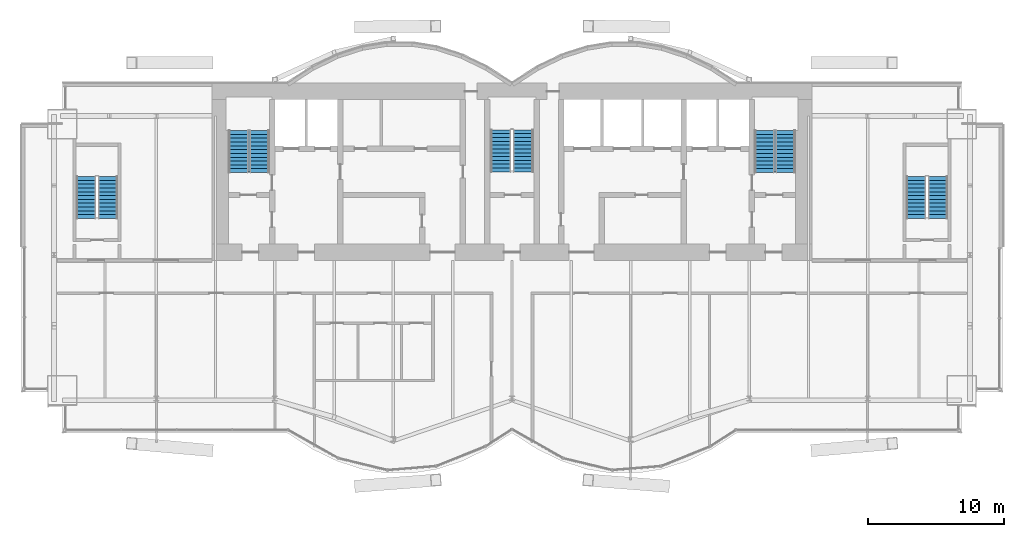
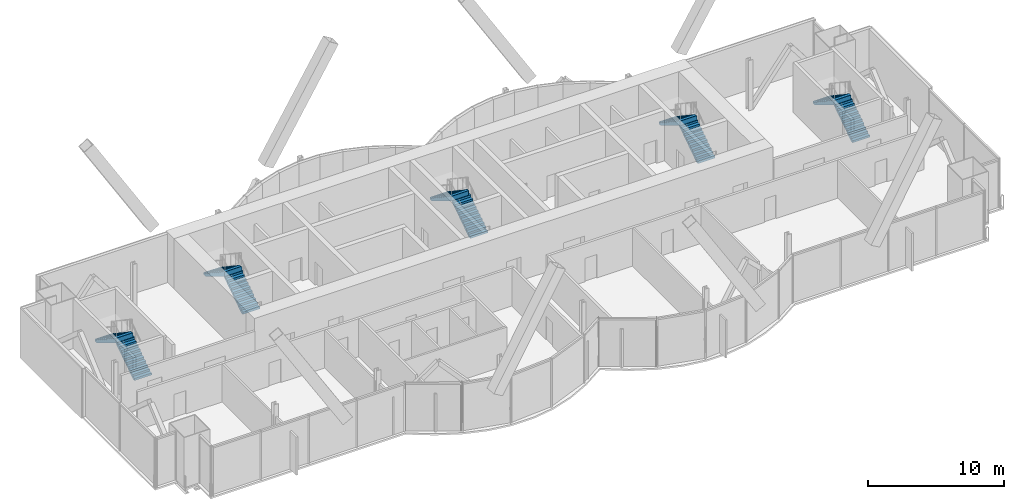
# One storey, part 16 of 19: 10 stair flights, 5 elements without a shape of their own.
"""IFC4 building model written with IfcOpenShell, lengths in metres."""

from ifc_helpers import new_model, si_unit, direction, frame, origin, place, context, subcontext, project, spatial, polyline, outline, extrude, material, type_object, element, aggregate, save


model = new_model("IFC4")

# Units and contexts
model_context = context("Model", 3, precision=1e-05, world=origin(), true_north=direction((0.0, 1.0)))
body_context = subcontext(model_context, "Body", "Model", "MODEL_VIEW")
ifc_project = project(units=[si_unit("LENGTHUNIT", "METRE"), si_unit("AREAUNIT", "SQUARE_METRE"), si_unit("VOLUMEUNIT", "CUBIC_METRE"), si_unit("PLANEANGLEUNIT", "RADIAN"), si_unit("MASSUNIT", "GRAM", prefix="KILO")], contexts=[model_context])

# Site, building, storey
site_placement = place(None, origin())
site = spatial("IfcSite", under=ifc_project, at=site_placement, CompositionType="ELEMENT")
building_placement = place(site_placement, origin())
building = spatial("IfcBuilding", under=site, at=building_placement, Name="Bicima Exchange Tower", CompositionType="ELEMENT")
storey_placement = place(building_placement, frame((0.0, 0.0, 324.5)))
storey = spatial("IfcBuildingStorey", under=building, at=storey_placement, Name="L73", CompositionType="ELEMENT", Elevation=324.5)

# Stair, stair flights
ifc_material = material(Name="Concrete C50/60", Category="concrete")
stair_type_1 = type_object("IfcStairType", Name="Exit stair", PredefinedType="HALF_TURN_STAIR", material=ifc_material)
stair_1_placement = place(storey_placement, origin())
stair_1 = element("IfcStair", 1, at=stair_1_placement, inside=storey, type_object=stair_type_1, Name="L73 West exit stair", PredefinedType="HALF_TURN_STAIR")
stair_flight_type_1 = type_object("IfcStairFlightType", Name="Stair flight RC", PredefinedType="STRAIGHT", material=ifc_material)
stair_flight_1_placement = place(storey_placement, frame((-18.52490234375, -6.550048828125, 0.0), z_axis=(0.0, 0.0, 1.0), x_axis=(0.0, 1.0, 0.0)))
stair_flight_1 = element("IfcStairFlight", 2, at=stair_flight_1_placement, type_object=stair_flight_type_1, Name="ST-W flight 1", NumberOfRisers=12, NumberOfTreads=11, PredefinedType="STRAIGHT", RiserHeight=0.1875, TreadLength=0.28, context=body_context, shape_type="SweptSolid", body=[
    extrude(outline(polyline([(0.0, 0.0), (0.0, 0.1875), (0.280029296875, 0.1875), (0.280029296875, 0.375), (0.56005859375, 0.375), (0.56005859375, 0.5625), (0.840087890625, 0.5625), (0.840087890625, 0.75), (1.1201171875, 0.75), (1.1201171875, 0.9375), (1.39990234375, 0.9375), (1.39990234375, 1.125), (1.679931640625, 1.125), (1.679931640625, 1.3125), (1.9599609375, 1.3125), (1.9599609375, 1.5), (2.239990234375, 1.5), (2.239990234375, 1.6875), (2.52001953125, 1.6875), (2.52001953125, 1.875), (2.800048828125, 1.875), (2.800048828125, 2.0625), (3.080078125, 2.0625), (3.080078125, 2.25), (3.080078125, 1.882080078125), (0.26953125, 0.0), (0.0, 0.0)])), frame((0.0, 0.72509765625, 0.0), z_axis=(0.0, -1.0, 0.0), x_axis=(1.0, 0.0, 0.0)), (0.0, 0.0, 1.0), 1.449951171875),
])
stair_flight_2_placement = place(storey_placement, frame((-20.074951171875, -3.469970703125, 2.25), z_axis=(0.0, 0.0, 1.0), x_axis=(0.0, -1.0, 0.0)))
stair_flight_2 = element("IfcStairFlight", 3, at=stair_flight_2_placement, type_object=stair_flight_type_1, Name="ST-W flight 2", NumberOfRisers=12, NumberOfTreads=11, PredefinedType="STRAIGHT", RiserHeight=0.1875, TreadLength=0.28, context=body_context, shape_type="SweptSolid", body=[
    extrude(outline(polyline([(0.0, 0.0), (0.0, 0.1875), (0.280029296875, 0.1875), (0.280029296875, 0.375), (0.56005859375, 0.375), (0.56005859375, 0.5625), (0.840087890625, 0.5625), (0.840087890625, 0.75), (1.1201171875, 0.75), (1.1201171875, 0.9375), (1.39990234375, 0.9375), (1.39990234375, 1.125), (1.679931640625, 1.125), (1.679931640625, 1.3125), (1.9599609375, 1.3125), (1.9599609375, 1.5), (2.239990234375, 1.5), (2.239990234375, 1.6875), (2.52001953125, 1.6875), (2.52001953125, 1.875), (2.800048828125, 1.875), (2.800048828125, 2.0625), (3.080078125, 2.0625), (3.080078125, 2.10400390625), (3.094970703125, 2.10400390625), (3.094970703125, 1.70458984375), (0.26953125, 0.0), (0.0, 0.0)])), frame((0.0, 0.72509765625, 0.0), z_axis=(0.0, -1.0, 0.0), x_axis=(1.0, 0.0, 0.0)), (0.0, 0.0, 1.0), 1.449951171875),
])
aggregate(stair_1, [stair_flight_1, stair_flight_2])

stair_2_placement = place(storey_placement, origin())
stair_2 = element("IfcStair", 4, at=stair_2_placement, inside=storey, type_object=stair_type_1, Name="L73 East exit stair", PredefinedType="HALF_TURN_STAIR")
stair_flight_3_placement = place(storey_placement, frame((20.074951171875, -6.550048828125, 0.0), z_axis=(0.0, 0.0, 1.0), x_axis=(0.0, 1.0, 0.0)))
stair_flight_3 = element("IfcStairFlight", 5, at=stair_flight_3_placement, type_object=stair_flight_type_1, Name="ST-E flight 1", NumberOfRisers=12, NumberOfTreads=11, PredefinedType="STRAIGHT", RiserHeight=0.1875, TreadLength=0.28, context=body_context, shape_type="SweptSolid", body=[
    extrude(outline(polyline([(0.0, 0.0), (0.0, 0.1875), (0.280029296875, 0.1875), (0.280029296875, 0.375), (0.56005859375, 0.375), (0.56005859375, 0.5625), (0.840087890625, 0.5625), (0.840087890625, 0.75), (1.1201171875, 0.75), (1.1201171875, 0.9375), (1.39990234375, 0.9375), (1.39990234375, 1.125), (1.679931640625, 1.125), (1.679931640625, 1.3125), (1.9599609375, 1.3125), (1.9599609375, 1.5), (2.239990234375, 1.5), (2.239990234375, 1.6875), (2.52001953125, 1.6875), (2.52001953125, 1.875), (2.800048828125, 1.875), (2.800048828125, 2.0625), (3.080078125, 2.0625), (3.080078125, 2.25), (3.080078125, 1.882080078125), (0.26953125, 0.0), (0.0, 0.0)])), frame((0.0, 0.72509765625, 0.0), z_axis=(0.0, -1.0, 0.0), x_axis=(1.0, 0.0, 0.0)), (0.0, 0.0, 1.0), 1.449951171875),
])
stair_flight_4_placement = place(storey_placement, frame((18.52490234375, -3.469970703125, 2.25), z_axis=(0.0, 0.0, 1.0), x_axis=(0.0, -1.0, 0.0)))
stair_flight_4 = element("IfcStairFlight", 6, at=stair_flight_4_placement, type_object=stair_flight_type_1, Name="ST-E flight 2", NumberOfRisers=12, NumberOfTreads=11, PredefinedType="STRAIGHT", RiserHeight=0.1875, TreadLength=0.28, context=body_context, shape_type="SweptSolid", body=[
    extrude(outline(polyline([(0.0, 0.0), (0.0, 0.1875), (0.280029296875, 0.1875), (0.280029296875, 0.375), (0.56005859375, 0.375), (0.56005859375, 0.5625), (0.840087890625, 0.5625), (0.840087890625, 0.75), (1.1201171875, 0.75), (1.1201171875, 0.9375), (1.39990234375, 0.9375), (1.39990234375, 1.125), (1.679931640625, 1.125), (1.679931640625, 1.3125), (1.9599609375, 1.3125), (1.9599609375, 1.5), (2.239990234375, 1.5), (2.239990234375, 1.6875), (2.52001953125, 1.6875), (2.52001953125, 1.875), (2.800048828125, 1.875), (2.800048828125, 2.0625), (3.080078125, 2.0625), (3.080078125, 2.10400390625), (3.094970703125, 2.10400390625), (3.094970703125, 1.70458984375), (0.26953125, 0.0), (0.0, 0.0)])), frame((0.0, 0.72509765625, 0.0), z_axis=(0.0, -1.0, 0.0), x_axis=(1.0, 0.0, 0.0)), (0.0, 0.0, 1.0), 1.449951171875),
])
aggregate(stair_2, [stair_flight_3, stair_flight_4])

stair_3_placement = place(storey_placement, origin())
stair_3 = element("IfcStair", 7, at=stair_3_placement, inside=storey, type_object=stair_type_1, Name="L73 West end exit stair", PredefinedType="HALF_TURN_STAIR")
stair_flight_5_placement = place(storey_placement, frame((-29.64990234375, -9.925048828125, 0.0), z_axis=(0.0, 0.0, 1.0), x_axis=(0.0, 1.0, 0.0)))
stair_flight_5 = element("IfcStairFlight", 8, at=stair_flight_5_placement, type_object=stair_flight_type_1, Name="ST-WW flight 1", NumberOfRisers=12, NumberOfTreads=11, PredefinedType="STRAIGHT", RiserHeight=0.1875, TreadLength=0.28, context=body_context, shape_type="SweptSolid", body=[
    extrude(outline(polyline([(0.0, 0.0), (0.0, 0.1875), (0.280029296875, 0.1875), (0.280029296875, 0.375), (0.56005859375, 0.375), (0.56005859375, 0.5625), (0.840087890625, 0.5625), (0.840087890625, 0.75), (1.1201171875, 0.75), (1.1201171875, 0.9375), (1.39990234375, 0.9375), (1.39990234375, 1.125), (1.679931640625, 1.125), (1.679931640625, 1.3125), (1.9599609375, 1.3125), (1.9599609375, 1.5), (2.239990234375, 1.5), (2.239990234375, 1.6875), (2.52001953125, 1.6875), (2.52001953125, 1.875), (2.800048828125, 1.875), (2.800048828125, 2.0625), (3.080078125, 2.0625), (3.080078125, 2.25), (3.080078125, 1.882080078125), (0.26953125, 0.0), (0.0, 0.0)])), frame((0.0, 0.72509765625, 0.0), z_axis=(0.0, -1.0, 0.0), x_axis=(1.0, 0.0, 0.0)), (0.0, 0.0, 1.0), 1.449951171875),
])
stair_flight_6_placement = place(storey_placement, frame((-31.25, -6.844970703125, 2.25), z_axis=(0.0, 0.0, 1.0), x_axis=(0.0, -1.0, 0.0)))
stair_flight_6 = element("IfcStairFlight", 9, at=stair_flight_6_placement, type_object=stair_flight_type_1, Name="ST-WW flight 2", NumberOfRisers=12, NumberOfTreads=11, PredefinedType="STRAIGHT", RiserHeight=0.1875, TreadLength=0.28, context=body_context, shape_type="SweptSolid", body=[
    extrude(outline(polyline([(0.0, 0.0), (0.0, 0.1875), (0.280029296875, 0.1875), (0.280029296875, 0.375), (0.56005859375, 0.375), (0.56005859375, 0.5625), (0.840087890625, 0.5625), (0.840087890625, 0.75), (1.1201171875, 0.75), (1.1201171875, 0.9375), (1.39990234375, 0.9375), (1.39990234375, 1.125), (1.679931640625, 1.125), (1.679931640625, 1.3125), (1.9599609375, 1.3125), (1.9599609375, 1.5), (2.239990234375, 1.5), (2.239990234375, 1.6875), (2.52001953125, 1.6875), (2.52001953125, 1.875), (2.800048828125, 1.875), (2.800048828125, 2.0625), (3.080078125, 2.0625), (3.080078125, 2.10400390625), (3.094970703125, 2.10400390625), (3.094970703125, 1.70458984375), (0.26953125, 0.0), (0.0, 0.0)])), frame((0.0, 0.72509765625, 0.0), z_axis=(0.0, -1.0, 0.0), x_axis=(1.0, 0.0, 0.0)), (0.0, 0.0, 1.0), 1.449951171875),
])
aggregate(stair_3, [stair_flight_5, stair_flight_6])

stair_4_placement = place(storey_placement, origin())
stair_4 = element("IfcStair", 10, at=stair_4_placement, inside=storey, type_object=stair_type_1, Name="L73 East end exit stair", PredefinedType="HALF_TURN_STAIR")
stair_flight_7_placement = place(storey_placement, frame((31.25, -9.925048828125, 0.0), z_axis=(0.0, 0.0, 1.0), x_axis=(0.0, 1.0, 0.0)))
stair_flight_7 = element("IfcStairFlight", 11, at=stair_flight_7_placement, type_object=stair_flight_type_1, Name="ST-EE flight 1", NumberOfRisers=12, NumberOfTreads=11, PredefinedType="STRAIGHT", RiserHeight=0.1875, TreadLength=0.28, context=body_context, shape_type="SweptSolid", body=[
    extrude(outline(polyline([(0.0, 0.0), (0.0, 0.1875), (0.280029296875, 0.1875), (0.280029296875, 0.375), (0.56005859375, 0.375), (0.56005859375, 0.5625), (0.840087890625, 0.5625), (0.840087890625, 0.75), (1.1201171875, 0.75), (1.1201171875, 0.9375), (1.39990234375, 0.9375), (1.39990234375, 1.125), (1.679931640625, 1.125), (1.679931640625, 1.3125), (1.9599609375, 1.3125), (1.9599609375, 1.5), (2.239990234375, 1.5), (2.239990234375, 1.6875), (2.52001953125, 1.6875), (2.52001953125, 1.875), (2.800048828125, 1.875), (2.800048828125, 2.0625), (3.080078125, 2.0625), (3.080078125, 2.25), (3.080078125, 1.882080078125), (0.26953125, 0.0), (0.0, 0.0)])), frame((0.0, 0.72509765625, 0.0), z_axis=(0.0, -1.0, 0.0), x_axis=(1.0, 0.0, 0.0)), (0.0, 0.0, 1.0), 1.449951171875),
])
stair_flight_8_placement = place(storey_placement, frame((29.64990234375, -6.844970703125, 2.25), z_axis=(0.0, 0.0, 1.0), x_axis=(0.0, -1.0, 0.0)))
stair_flight_8 = element("IfcStairFlight", 12, at=stair_flight_8_placement, type_object=stair_flight_type_1, Name="ST-EE flight 2", NumberOfRisers=12, NumberOfTreads=11, PredefinedType="STRAIGHT", RiserHeight=0.1875, TreadLength=0.28, context=body_context, shape_type="SweptSolid", body=[
    extrude(outline(polyline([(0.0, 0.0), (0.0, 0.1875), (0.280029296875, 0.1875), (0.280029296875, 0.375), (0.56005859375, 0.375), (0.56005859375, 0.5625), (0.840087890625, 0.5625), (0.840087890625, 0.75), (1.1201171875, 0.75), (1.1201171875, 0.9375), (1.39990234375, 0.9375), (1.39990234375, 1.125), (1.679931640625, 1.125), (1.679931640625, 1.3125), (1.9599609375, 1.3125), (1.9599609375, 1.5), (2.239990234375, 1.5), (2.239990234375, 1.6875), (2.52001953125, 1.6875), (2.52001953125, 1.875), (2.800048828125, 1.875), (2.800048828125, 2.0625), (3.080078125, 2.0625), (3.080078125, 2.10400390625), (3.094970703125, 2.10400390625), (3.094970703125, 1.70458984375), (0.26953125, 0.0), (0.0, 0.0)])), frame((0.0, 0.72509765625, 0.0), z_axis=(0.0, -1.0, 0.0), x_axis=(1.0, 0.0, 0.0)), (0.0, 0.0, 1.0), 1.449951171875),
])
aggregate(stair_4, [stair_flight_7, stair_flight_8])

stair_type_2 = type_object("IfcStairType", Name="Exit stair 1500", PredefinedType="HALF_TURN_STAIR", material=ifc_material)
stair_5_placement = place(storey_placement, origin())
stair_5 = element("IfcStair", 13, at=stair_5_placement, inside=storey, type_object=stair_type_2, Name="L73 Central exit stair", PredefinedType="HALF_TURN_STAIR")
stair_flight_type_2 = type_object("IfcStairFlightType", Name="Stair flight RC 1500", PredefinedType="STRAIGHT", material=ifc_material)
stair_flight_9_placement = place(storey_placement, frame((0.824951171875, -6.5, 0.0), z_axis=(0.0, 0.0, 1.0), x_axis=(0.0, 1.0, 0.0)))
stair_flight_9 = element("IfcStairFlight", 14, at=stair_flight_9_placement, type_object=stair_flight_type_2, Name="ST-C flight 1", NumberOfRisers=12, NumberOfTreads=11, PredefinedType="STRAIGHT", RiserHeight=0.1875, TreadLength=0.28, context=body_context, shape_type="SweptSolid", body=[
    extrude(outline(polyline([(0.0, 0.0), (0.0, 0.1875), (0.280029296875, 0.1875), (0.280029296875, 0.375), (0.56005859375, 0.375), (0.56005859375, 0.5625), (0.840087890625, 0.5625), (0.840087890625, 0.75), (1.1201171875, 0.75), (1.1201171875, 0.9375), (1.39990234375, 0.9375), (1.39990234375, 1.125), (1.679931640625, 1.125), (1.679931640625, 1.3125), (1.9599609375, 1.3125), (1.9599609375, 1.5), (2.239990234375, 1.5), (2.239990234375, 1.6875), (2.52001953125, 1.6875), (2.52001953125, 1.875), (2.800048828125, 1.875), (2.800048828125, 2.0625), (3.080078125, 2.0625), (3.080078125, 2.25), (3.080078125, 1.882080078125), (0.26953125, 0.0), (0.0, 0.0)])), frame((0.0, 0.75, 0.0), z_axis=(0.0, -1.0, 0.0), x_axis=(1.0, 0.0, 0.0)), (0.0, 0.0, 1.0), 1.5),
])
stair_flight_10_placement = place(storey_placement, frame((-0.824951171875, -3.419921875, 2.25), z_axis=(0.0, 0.0, 1.0), x_axis=(0.0, -1.0, 0.0)))
stair_flight_10 = element("IfcStairFlight", 15, at=stair_flight_10_placement, type_object=stair_flight_type_2, Name="ST-C flight 2", NumberOfRisers=12, NumberOfTreads=11, PredefinedType="STRAIGHT", RiserHeight=0.1875, TreadLength=0.28, context=body_context, shape_type="SweptSolid", body=[
    extrude(outline(polyline([(0.0, 0.0), (0.0, 0.1875), (0.280029296875, 0.1875), (0.280029296875, 0.375), (0.56005859375, 0.375), (0.56005859375, 0.5625), (0.840087890625, 0.5625), (0.840087890625, 0.75), (1.1201171875, 0.75), (1.1201171875, 0.9375), (1.39990234375, 0.9375), (1.39990234375, 1.125), (1.679931640625, 1.125), (1.679931640625, 1.3125), (1.9599609375, 1.3125), (1.9599609375, 1.5), (2.239990234375, 1.5), (2.239990234375, 1.6875), (2.52001953125, 1.6875), (2.52001953125, 1.875), (2.800048828125, 1.875), (2.800048828125, 2.0625), (3.080078125, 2.0625), (3.080078125, 2.10400390625), (3.094970703125, 2.10400390625), (3.094970703125, 1.70458984375), (0.26953125, 0.0), (0.0, 0.0)])), frame((0.0, 0.75, 0.0), z_axis=(0.0, -1.0, 0.0), x_axis=(1.0, 0.0, 0.0)), (0.0, 0.0, 1.0), 1.5),
])
aggregate(stair_5, [stair_flight_9, stair_flight_10])

save(model, "model.ifc")
